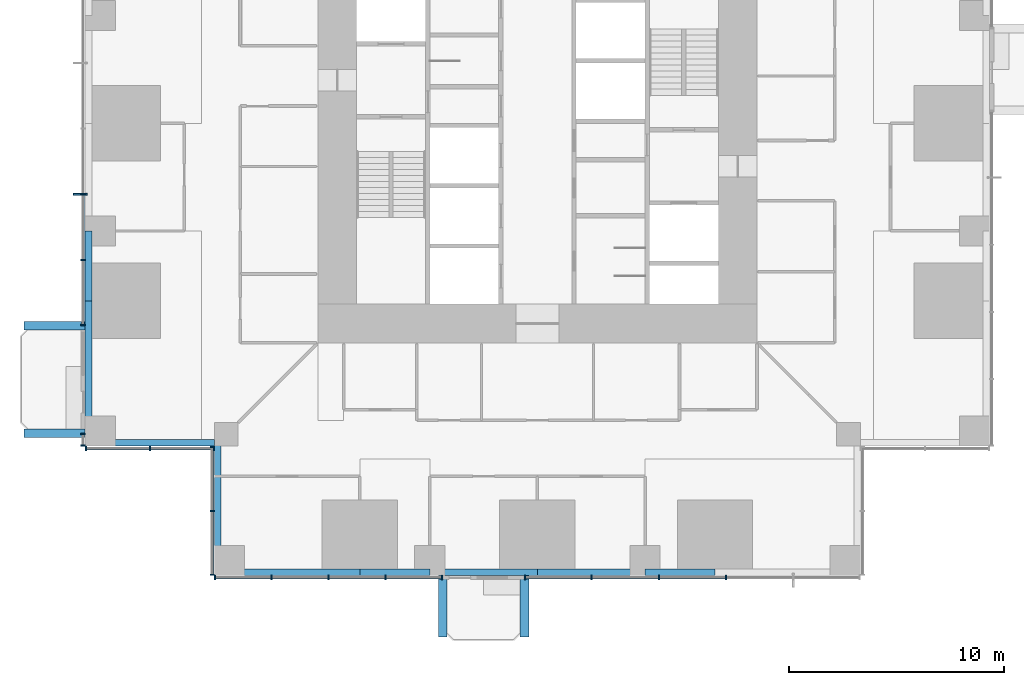
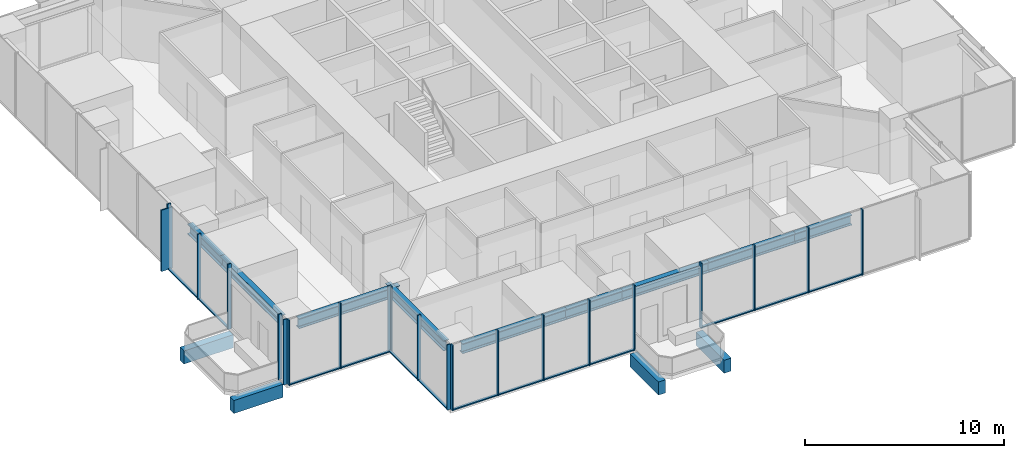
# One storey, part 2 of 18: 34 members, 13 beams, 6 elements without a shape of their own.
"""IFC4 building model written with IfcOpenShell, lengths in metres."""

import ifcopenshell
import ifcopenshell.guid

model = None  # the IFC model being written
_history = None  # IfcOwnerHistory: only IFC2X3 demands one
_inside = {}  # id of a spatial element -> (the spatial element, [elements in it])
_under = {}  # id of a project, library or spatial element -> (it, [spatial elements below it])
_declared = {}  # id of a project -> (the project, [libraries it declares])
_typed = {}  # id of a type object -> (the type object, [elements of that type])
_made_of = {}  # id of a material, layer set ... -> (it, [elements and type objects made of it])


def new_model(schema):
    """Start an empty IFC model of exactly this schema.

    Asked for "IFC4X3", IfcOpenShell would pick the latest addendum, in which some entities
    have other attributes; the version numbers below select the first issue.
    IFC2X3 requires an IfcOwnerHistory on every rooted entity: one is made here for all.
    """
    global model, _history
    if schema == "IFC4X3":
        model = ifcopenshell.file(schema_version=(4, 3, 0, 0))
    else:
        model = ifcopenshell.file(schema=schema)
    _inside.clear()
    _under.clear()
    _declared.clear()
    _typed.clear()
    _made_of.clear()
    _history = None
    if model.schema == "IFC2X3":
        org = make("IfcOrganization", Name="unknown")
        user = make(
            "IfcPersonAndOrganization",
            ThePerson=make("IfcPerson", FamilyName="unknown"),
            TheOrganization=org,
        )
        app = make(
            "IfcApplication",
            ApplicationDeveloper=org,
            Version="unknown",
            ApplicationFullName="unknown",
            ApplicationIdentifier="unknown",
        )
        _history = make(
            "IfcOwnerHistory",
            OwningUser=user,
            OwningApplication=app,
            ChangeAction="ADDED",
            CreationDate=0,
        )
    return model


def make(cls, **values):
    """One entity of the class cls with the attributes given. An attribute that is None is left unset."""
    return model.create_entity(
        cls, **{name: value for name, value in values.items() if value is not None}
    )


def rooted(cls, **values):
    """An entity with a GlobalId (a new one), such as an element, a storey or a relation."""
    return make(cls, GlobalId=ifcopenshell.guid.new(), OwnerHistory=_history, **values)


def si_unit(unit_type, name, prefix=None):
    """IfcSIUnit, for example si_unit("LENGTHUNIT", "METRE", prefix="MILLI")."""
    return make("IfcSIUnit", UnitType=unit_type, Prefix=prefix, Name=name)


def assignment(units):
    """IfcUnitAssignment: the units of a project."""
    return None if units is None else make("IfcUnitAssignment", Units=units)


def point(xyz):
    """IfcCartesianPoint."""
    return None if xyz is None else make("IfcCartesianPoint", Coordinates=xyz)


def direction(xyz):
    """IfcDirection."""
    return None if xyz is None else make("IfcDirection", DirectionRatios=xyz)


def frame(location, z_axis=None, x_axis=None):
    """IfcAxis2Placement3D, a coordinate frame: its origin and axes. An axis left out is left unset."""
    return make(
        "IfcAxis2Placement3D",
        Location=point(location),
        Axis=direction(z_axis),
        RefDirection=direction(x_axis),
    )


def frame_2d(location, x_axis=None):
    """IfcAxis2Placement2D, a coordinate frame in the plane: its origin and x axis."""
    return make(
        "IfcAxis2Placement2D", Location=point(location), RefDirection=direction(x_axis)
    )


def origin():
    """The frame at (0, 0, 0) with its axes left unset."""
    return frame((0.0, 0.0, 0.0))


def origin_2d():
    """The frame at (0, 0) in the plane with its x axis left unset."""
    return frame_2d((0.0, 0.0))


def place(relative_to, where):
    """IfcLocalPlacement: puts the frame where relative to a parent placement (None: the world)."""
    return make(
        "IfcLocalPlacement", PlacementRelTo=relative_to, RelativePlacement=where
    )


def context(
    kind, dimensions, precision=None, world=None, true_north=None, identifier=None
):
    """IfcGeometricRepresentationContext, for example the 3D "Model" context."""
    return make(
        "IfcGeometricRepresentationContext",
        ContextIdentifier=identifier,
        ContextType=kind,
        CoordinateSpaceDimension=dimensions,
        Precision=precision,
        WorldCoordinateSystem=world,
        TrueNorth=true_north,
    )


def subcontext(parent, identifier, kind, view, scale=None):
    """IfcGeometricRepresentationSubContext, for example "Body" below "Model"."""
    return make(
        "IfcGeometricRepresentationSubContext",
        ContextIdentifier=identifier,
        ContextType=kind,
        ParentContext=parent,
        TargetScale=scale,
        TargetView=view,
    )


def project(units=None, contexts=None):
    """IfcProject with its units and contexts."""
    return rooted(
        "IfcProject",
        Name="project",
        RepresentationContexts=contexts,
        UnitsInContext=assignment(units),
    )


def spatial(cls, under=None, at=None, **own):
    """A site, building, storey or space (cls), placed at a placement, below another one or the project."""
    s = rooted(cls, ObjectPlacement=at, **own)
    if under is not None:
        _under.setdefault(under.id(), (under, []))[1].append(s)
    return s


def profile(cls, at=None, kind="AREA", **sizes):
    """A parametric profile (cls). Its sizes go by their IFC names, for example OverallWidth=200.0."""
    return make(cls, ProfileType=kind, Position=at, **sizes)


def rectangle(**sizes):
    """IfcRectangleProfileDef."""
    return profile("IfcRectangleProfileDef", **sizes)


def i_section(**sizes):
    """IfcIShapeProfileDef."""
    return profile("IfcIShapeProfileDef", **sizes)


def extrude(swept, where, along, depth):
    """IfcExtrudedAreaSolid: the profile swept, set in the frame where, extruded along a direction by depth."""
    return make(
        "IfcExtrudedAreaSolid",
        SweptArea=swept,
        Position=where,
        ExtrudedDirection=direction(along),
        Depth=depth,
    )


def shape(context_of_items, identifier, shape_type, items):
    """IfcShapeRepresentation: the items that make up one representation, for example the "Body"."""
    return make(
        "IfcShapeRepresentation",
        ContextOfItems=context_of_items,
        RepresentationIdentifier=identifier,
        RepresentationType=shape_type,
        Items=items,
    )


def material(Name=None, Category=None):
    """IfcMaterial."""
    return make("IfcMaterial", Name=Name, Category=Category)


def material_profile(
    of_material, cross_section, Name=None, Category=None, Priority=None
):
    """IfcMaterialProfile: a cross section and its material."""
    return make(
        "IfcMaterialProfile",
        Name=Name,
        Material=of_material,
        Profile=cross_section,
        Priority=Priority,
        Category=Category,
    )


def profile_set(profiles, Name=None, composite=None):
    """IfcMaterialProfileSet."""
    return make(
        "IfcMaterialProfileSet",
        Name=Name,
        MaterialProfiles=profiles,
        CompositeProfile=composite,
    )


def made_of(thing, what):
    """Note that an element or type object is made of a material, layer set ...; save() writes the relation."""
    if what is not None:
        _made_of.setdefault(what.id(), (what, []))[1].append(thing)
    return thing


def type_object(cls, material=None, **own):
    """A type object (cls), such as IfcWallType, which elements share."""
    return made_of(rooted(cls, **own), material)


def element(
    cls,
    number,
    at=None,
    inside=None,
    cuts=None,
    type_object=None,
    material=None,
    context=None,
    identifier="Body",
    shape_type=None,
    held_by="IfcProductDefinitionShape",
    body=None,
    shapes=None,
    **own,
):
    """One element of the class cls, such as IfcWall. Its Tag is "e" and its number.

    at: its placement. inside: the storey or other place that contains it. cuts: it is an
    opening in that element (IfcRelVoidsElement). A single representation is given by context,
    identifier, shape_type and body (its items); several are given by shapes. held_by: the class
    of the entity that holds the representations. save() writes the other relations.
    """
    e = rooted(cls, Tag="e%d" % number, ObjectPlacement=at, **own)
    if body is not None:
        shapes = [shape(context, identifier, shape_type, body)]
    if shapes is not None:
        e.Representation = make(held_by, Representations=shapes)
    if inside is not None:
        _inside.setdefault(inside.id(), (inside, []))[1].append(e)
    if cuts is not None:
        rooted(
            "IfcRelVoidsElement", RelatingBuildingElement=cuts, RelatedOpeningElement=e
        )
    if type_object is not None:
        _typed.setdefault(type_object.id(), (type_object, []))[1].append(e)
    return made_of(e, material)


def aggregate(whole, parts):
    """IfcRelAggregates: a whole, such as a stair, and the parts it consists of."""
    return rooted("IfcRelAggregates", RelatingObject=whole, RelatedObjects=parts)


def save(model, path):
    """Write the relations noted so far, then the file.

    IfcRelAggregates (storeys below a building ...), IfcRelContainedInSpatialStructure (elements
    in a storey), IfcRelDefinesByType, IfcRelAssociatesMaterial and IfcRelDeclares: one each for
    every whole, place, type object, material and project.
    """
    for whole, parts in _under.values():
        aggregate(whole, parts)
    for where, things in _inside.values():
        rooted(
            "IfcRelContainedInSpatialStructure",
            RelatedElements=things,
            RelatingStructure=where,
        )
    for kind, things in _typed.values():
        rooted("IfcRelDefinesByType", RelatedObjects=things, RelatingType=kind)
    for what, things in _made_of.values():
        rooted("IfcRelAssociatesMaterial", RelatedObjects=things, RelatingMaterial=what)
    for by, libraries in _declared.values():
        rooted("IfcRelDeclares", RelatingContext=by, RelatedDefinitions=libraries)
    model.write(path)


model = new_model("IFC4")

# Units and contexts
model_context = context("Model", 3, precision=1e-05, world=origin(), true_north=direction((0.0, 1.0)))
body_context = subcontext(model_context, "Body", "Model", "MODEL_VIEW")
ifc_project = project(units=[si_unit("LENGTHUNIT", "METRE"), si_unit("AREAUNIT", "SQUARE_METRE"), si_unit("VOLUMEUNIT", "CUBIC_METRE"), si_unit("PLANEANGLEUNIT", "RADIAN"), si_unit("MASSUNIT", "GRAM", prefix="KILO")], contexts=[model_context])

# Site, building, storey
site_placement = place(None, origin())
site = spatial("IfcSite", under=ifc_project, at=site_placement, CompositionType="ELEMENT")
building_placement = place(site_placement, origin())
building = spatial("IfcBuilding", under=site, at=building_placement, Name="Svetlomir Tower", CompositionType="ELEMENT")
storey_placement = place(building_placement, frame((0.0, 0.0, 54.5)))
storey = spatial("IfcBuildingStorey", under=building, at=storey_placement, Name="L12", CompositionType="ELEMENT", Elevation=54.5)

# Beams
ifc_material_1 = material(Name="Concrete C60/75", Category="concrete")
ifc_material_profile_1 = material_profile(ifc_material_1, rectangle(XDim=0.39990234375, YDim=0.800048828125, at=origin_2d()), Name="RC 400x800")
ifc_profile_set_1 = profile_set([ifc_material_profile_1], Name="Concrete C60/75")
beam_type_1 = type_object("IfcBeamType", Name="BALCONY RIB RC 400x800", PredefinedType="BEAM", material=ifc_profile_set_1)
for number, where, z_axis, x_axis, name in (
    (1, (16.60009765625, 0.0, -0.64990234375), (0.0, -1.0, 0.0), (1.0, 0.0, 0.0), "Balcony rib S 1 L12"),
    (2, (20.39990234375, 0.0, -0.64990234375), (0.0, -1.0, 0.0), (1.0, 0.0, 0.0), "Balcony rib S 2 L12"),
    (3, (0.0, 6.60009765625, -0.64990234375), (-1.0, 0.0, 0.0), (0.0, -1.0, 0.0), "Balcony rib W 1 L12"),
    (4, (0.0, 11.60009765625, -0.64990234375), (-1.0, 0.0, 0.0), (0.0, -1.0, 0.0), "Balcony rib W 2 L12"),
):
    element("IfcBeam", number, at=place(storey_placement, frame(where, z_axis=z_axis, x_axis=x_axis)), inside=storey, type_object=beam_type_1, Name=name, PredefinedType="BEAM", context=body_context, shape_type="SweptSolid", body=[
        extrude(rectangle(XDim=0.39990234375, YDim=0.800048828125, at=origin_2d()), origin(), (0.0, 0.0, 1.0), 2.85009765625),
    ])

# Curtain wall, member
ifc_material_2 = material(Name="Bronze anodised aluminium curtain wall", Category="aluminium")
curtain_wall_type = type_object("IfcCurtainWallType", Name="CURTAIN WALL CW1 TOWER OFFICE", PredefinedType="NOTDEFINED", material=ifc_material_2)
curtain_wall_1_placement = place(storey_placement, origin())
curtain_wall_1 = element("IfcCurtainWall", 5, at=curtain_wall_1_placement, inside=storey, type_object=curtain_wall_type, Name="Curtain wall CW1 L12", PredefinedType="NOTDEFINED")
ifc_material_3 = material(Name="Bronze anodised aluminium", Category="aluminium")
ifc_material_profile_2 = material_profile(ifc_material_3, rectangle(XDim=0.080078125, YDim=0.64990234375, at=origin_2d()), Name="FIN 80x650")
ifc_profile_set_2 = profile_set([ifc_material_profile_2], Name="Bronze anodised aluminium 6063-T6")
member_type_1 = type_object("IfcMemberType", Name="BRONZE FIN 80x650", PredefinedType="USERDEFINED", material=ifc_profile_set_2)
member_1_placement = place(storey_placement, frame((-0.22509765625, 17.699951171875, 0.0), z_axis=(0.0, 0.0, 1.0), x_axis=(0.0, 1.0, 0.0)))
member_1 = element("IfcMember", 6, at=member_1_placement, type_object=member_type_1, Name="Bronze fin L12", ObjectType="FIN", PredefinedType="USERDEFINED", context=body_context, shape_type="SweptSolid", body=[
    extrude(rectangle(XDim=0.080078125, YDim=0.64990234375, at=origin_2d()), origin(), (0.0, 0.0, 1.0), 3.75),
])

# Curtain wall, members
curtain_wall_2_placement = place(storey_placement, origin())
curtain_wall_2 = element("IfcCurtainWall", 7, at=curtain_wall_2_placement, inside=storey, type_object=curtain_wall_type, Name="Curtain wall CW1 L12", PredefinedType="NOTDEFINED")
ifc_material_4 = material(Name="Bronze anodised aluminium", Category="aluminium")
ifc_material_profile_3 = material_profile(ifc_material_4, rectangle(XDim=0.06494140625, YDim=0.199951171875, at=origin_2d()), Name="AL 65x200")
ifc_profile_set_3 = profile_set([ifc_material_profile_3], Name="Bronze anodised aluminium 6063-T6")
member_type_2 = type_object("IfcMemberType", Name="CW1 MULLION 65x200", PredefinedType="MULLION", material=ifc_profile_set_3)
member_2_placement = place(storey_placement, frame((6.032470703125, -0.10009765625, 0.0), z_axis=(0.0, 0.0, 1.0), x_axis=(1.0, 0.0, 0.0)))
member_2 = element("IfcMember", 8, at=member_2_placement, type_object=member_type_2, Name="CW1 mullion 1", PredefinedType="MULLION", context=body_context, shape_type="SweptSolid", body=[
    extrude(rectangle(XDim=0.06494140625, YDim=0.199951171875, at=origin_2d()), origin(), (0.0, 0.0, 1.0), 4.0),
])
member_3_placement = place(storey_placement, frame((8.64990234375, -0.10009765625, 0.0), z_axis=(0.0, 0.0, 1.0), x_axis=(1.0, 0.0, 0.0)))
member_3 = element("IfcMember", 9, at=member_3_placement, type_object=member_type_2, Name="CW1 mullion 2", PredefinedType="MULLION", context=body_context, shape_type="SweptSolid", body=[
    extrude(rectangle(XDim=0.06494140625, YDim=0.199951171875, at=origin_2d()), origin(), (0.0, 0.0, 1.0), 4.0),
])
member_4_placement = place(storey_placement, frame((11.300048828125, -0.10009765625, 0.0), z_axis=(0.0, 0.0, 1.0), x_axis=(1.0, 0.0, 0.0)))
member_4 = element("IfcMember", 10, at=member_4_placement, type_object=member_type_2, Name="CW1 mullion 3", PredefinedType="MULLION", context=body_context, shape_type="SweptSolid", body=[
    extrude(rectangle(XDim=0.06494140625, YDim=0.199951171875, at=origin_2d()), origin(), (0.0, 0.0, 1.0), 4.0),
])
member_5_placement = place(storey_placement, frame((13.949951171875, -0.10009765625, 0.0), z_axis=(0.0, 0.0, 1.0), x_axis=(1.0, 0.0, 0.0)))
member_5 = element("IfcMember", 11, at=member_5_placement, type_object=member_type_2, Name="CW1 mullion 4", PredefinedType="MULLION", context=body_context, shape_type="SweptSolid", body=[
    extrude(rectangle(XDim=0.06494140625, YDim=0.199951171875, at=origin_2d()), origin(), (0.0, 0.0, 1.0), 4.0),
])
member_6_placement = place(storey_placement, frame((16.5673828125, -0.10009765625, 0.0), z_axis=(0.0, 0.0, 1.0), x_axis=(1.0, 0.0, 0.0)))
member_6 = element("IfcMember", 12, at=member_6_placement, type_object=member_type_2, Name="CW1 mullion 5", PredefinedType="MULLION", context=body_context, shape_type="SweptSolid", body=[
    extrude(rectangle(XDim=0.06494140625, YDim=0.199951171875, at=origin_2d()), origin(), (0.0, 0.0, 1.0), 4.0),
])

curtain_wall_3_placement = place(storey_placement, origin())
curtain_wall_3 = element("IfcCurtainWall", 13, at=curtain_wall_3_placement, inside=storey, type_object=curtain_wall_type, Name="Curtain wall CW1 L12", PredefinedType="NOTDEFINED")
member_7_placement = place(storey_placement, frame((20.4326171875, -0.10009765625, 0.0), z_axis=(0.0, 0.0, 1.0), x_axis=(1.0, 0.0, 0.0)))
member_7 = element("IfcMember", 14, at=member_7_placement, type_object=member_type_2, Name="CW1 mullion 1", PredefinedType="MULLION", context=body_context, shape_type="SweptSolid", body=[
    extrude(rectangle(XDim=0.06494140625, YDim=0.199951171875, at=origin_2d()), origin(), (0.0, 0.0, 1.0), 4.0),
])
member_8_placement = place(storey_placement, frame((23.52001953125, -0.10009765625, 0.0), z_axis=(0.0, 0.0, 1.0), x_axis=(1.0, 0.0, 0.0)))
member_8 = element("IfcMember", 15, at=member_8_placement, type_object=member_type_2, Name="CW1 mullion 2", PredefinedType="MULLION", context=body_context, shape_type="SweptSolid", body=[
    extrude(rectangle(XDim=0.06494140625, YDim=0.199951171875, at=origin_2d()), origin(), (0.0, 0.0, 1.0), 4.0),
])
member_9_placement = place(storey_placement, frame((26.639892578125, -0.10009765625, 0.0), z_axis=(0.0, 0.0, 1.0), x_axis=(1.0, 0.0, 0.0)))
member_9 = element("IfcMember", 16, at=member_9_placement, type_object=member_type_2, Name="CW1 mullion 3", PredefinedType="MULLION", context=body_context, shape_type="SweptSolid", body=[
    extrude(rectangle(XDim=0.06494140625, YDim=0.199951171875, at=origin_2d()), origin(), (0.0, 0.0, 1.0), 4.0),
])
member_10_placement = place(storey_placement, frame((29.760009765625, -0.10009765625, 0.0), z_axis=(0.0, 0.0, 1.0), x_axis=(1.0, 0.0, 0.0)))
member_10 = element("IfcMember", 17, at=member_10_placement, type_object=member_type_2, Name="CW1 mullion 4", PredefinedType="MULLION", context=body_context, shape_type="SweptSolid", body=[
    extrude(rectangle(XDim=0.06494140625, YDim=0.199951171875, at=origin_2d()), origin(), (0.0, 0.0, 1.0), 4.0),
])

# Member
member_11_placement = place(storey_placement, frame((-0.10009765625, 17.699951171875, 0.0), z_axis=(0.0, 0.0, 1.0), x_axis=(0.0, -1.0, 0.0)))
member_11 = element("IfcMember", 18, at=member_11_placement, type_object=member_type_2, Name="CW1 mullion 7", PredefinedType="MULLION", context=body_context, shape_type="SweptSolid", body=[
    extrude(rectangle(XDim=0.06494140625, YDim=0.199951171875, at=origin_2d()), origin(), (0.0, 0.0, 1.0), 4.0),
])

member_12_placement = place(storey_placement, frame((-0.10009765625, 14.64990234375, 0.0), z_axis=(0.0, 0.0, 1.0), x_axis=(0.0, -1.0, 0.0)))
member_12 = element("IfcMember", 19, at=member_12_placement, type_object=member_type_2, Name="CW1 mullion 8", PredefinedType="MULLION", context=body_context, shape_type="SweptSolid", body=[
    extrude(rectangle(XDim=0.06494140625, YDim=0.199951171875, at=origin_2d()), origin(), (0.0, 0.0, 1.0), 4.0),
])

member_13_placement = place(storey_placement, frame((-0.10009765625, 11.632568359375, 0.0), z_axis=(0.0, 0.0, 1.0), x_axis=(0.0, -1.0, 0.0)))
member_13 = element("IfcMember", 20, at=member_13_placement, type_object=member_type_2, Name="CW1 mullion 9", PredefinedType="MULLION", context=body_context, shape_type="SweptSolid", body=[
    extrude(rectangle(XDim=0.06494140625, YDim=0.199951171875, at=origin_2d()), origin(), (0.0, 0.0, 1.0), 4.0),
])

# Curtain wall, members
curtain_wall_4_placement = place(storey_placement, origin())
curtain_wall_4 = element("IfcCurtainWall", 21, at=curtain_wall_4_placement, inside=storey, type_object=curtain_wall_type, Name="Curtain wall CW1 L12", PredefinedType="NOTDEFINED")
member_14_placement = place(storey_placement, frame((-0.10009765625, 6.5673828125, 0.0), z_axis=(0.0, 0.0, 1.0), x_axis=(0.0, -1.0, 0.0)))
member_14 = element("IfcMember", 22, at=member_14_placement, type_object=member_type_2, Name="CW1 mullion 1", PredefinedType="MULLION", context=body_context, shape_type="SweptSolid", body=[
    extrude(rectangle(XDim=0.06494140625, YDim=0.199951171875, at=origin_2d()), origin(), (0.0, 0.0, 1.0), 4.0),
])
member_15_placement = place(storey_placement, frame((-0.10009765625, 6.032470703125, 0.0), z_axis=(0.0, 0.0, 1.0), x_axis=(0.0, -1.0, 0.0)))
member_15 = element("IfcMember", 23, at=member_15_placement, type_object=member_type_2, Name="CW1 mullion 2", PredefinedType="MULLION", context=body_context, shape_type="SweptSolid", body=[
    extrude(rectangle(XDim=0.06494140625, YDim=0.199951171875, at=origin_2d()), origin(), (0.0, 0.0, 1.0), 4.0),
])
aggregate(curtain_wall_4, [member_14, member_15])

curtain_wall_5_placement = place(storey_placement, origin())
curtain_wall_5 = element("IfcCurtainWall", 24, at=curtain_wall_5_placement, inside=storey, type_object=curtain_wall_type, Name="Curtain wall CW1 L12", PredefinedType="NOTDEFINED")
member_16_placement = place(storey_placement, frame((0.032470703125, 5.89990234375, 0.0), z_axis=(0.0, 0.0, 1.0), x_axis=(1.0, 0.0, 0.0)))
member_16 = element("IfcMember", 25, at=member_16_placement, type_object=member_type_2, Name="CW1 mullion 1", PredefinedType="MULLION", context=body_context, shape_type="SweptSolid", body=[
    extrude(rectangle(XDim=0.06494140625, YDim=0.199951171875, at=origin_2d()), origin(), (0.0, 0.0, 1.0), 4.0),
])
member_17_placement = place(storey_placement, frame((3.0, 5.89990234375, 0.0), z_axis=(0.0, 0.0, 1.0), x_axis=(1.0, 0.0, 0.0)))
member_17 = element("IfcMember", 26, at=member_17_placement, type_object=member_type_2, Name="CW1 mullion 2", PredefinedType="MULLION", context=body_context, shape_type="SweptSolid", body=[
    extrude(rectangle(XDim=0.06494140625, YDim=0.199951171875, at=origin_2d()), origin(), (0.0, 0.0, 1.0), 4.0),
])
member_18_placement = place(storey_placement, frame((5.967529296875, 5.89990234375, 0.0), z_axis=(0.0, 0.0, 1.0), x_axis=(1.0, 0.0, 0.0)))
member_18 = element("IfcMember", 27, at=member_18_placement, type_object=member_type_2, Name="CW1 mullion 3", PredefinedType="MULLION", context=body_context, shape_type="SweptSolid", body=[
    extrude(rectangle(XDim=0.06494140625, YDim=0.199951171875, at=origin_2d()), origin(), (0.0, 0.0, 1.0), 4.0),
])

curtain_wall_6_placement = place(storey_placement, origin())
curtain_wall_6 = element("IfcCurtainWall", 28, at=curtain_wall_6_placement, inside=storey, type_object=curtain_wall_type, Name="Curtain wall CW1 L12", PredefinedType="NOTDEFINED")
member_19_placement = place(storey_placement, frame((5.89990234375, 5.967529296875, 0.0), z_axis=(0.0, 0.0, 1.0), x_axis=(0.0, -1.0, 0.0)))
member_19 = element("IfcMember", 29, at=member_19_placement, type_object=member_type_2, Name="CW1 mullion 1", PredefinedType="MULLION", context=body_context, shape_type="SweptSolid", body=[
    extrude(rectangle(XDim=0.06494140625, YDim=0.199951171875, at=origin_2d()), origin(), (0.0, 0.0, 1.0), 4.0),
])
member_20_placement = place(storey_placement, frame((5.89990234375, 3.0, 0.0), z_axis=(0.0, 0.0, 1.0), x_axis=(0.0, -1.0, 0.0)))
member_20 = element("IfcMember", 30, at=member_20_placement, type_object=member_type_2, Name="CW1 mullion 2", PredefinedType="MULLION", context=body_context, shape_type="SweptSolid", body=[
    extrude(rectangle(XDim=0.06494140625, YDim=0.199951171875, at=origin_2d()), origin(), (0.0, 0.0, 1.0), 4.0),
])
member_21_placement = place(storey_placement, frame((5.89990234375, 0.032470703125, 0.0), z_axis=(0.0, 0.0, 1.0), x_axis=(0.0, -1.0, 0.0)))
member_21 = element("IfcMember", 31, at=member_21_placement, type_object=member_type_2, Name="CW1 mullion 3", PredefinedType="MULLION", context=body_context, shape_type="SweptSolid", body=[
    extrude(rectangle(XDim=0.06494140625, YDim=0.199951171875, at=origin_2d()), origin(), (0.0, 0.0, 1.0), 4.0),
])

# Member
ifc_material_5 = material(Name="Bronze anodised aluminium", Category="aluminium")
ifc_material_profile_4 = material_profile(ifc_material_5, rectangle(XDim=0.139892578125, YDim=0.06494140625, at=origin_2d()), Name="AL 140x65")
ifc_profile_set_4 = profile_set([ifc_material_profile_4], Name="Bronze anodised aluminium 6063-T6")
member_type_3 = type_object("IfcMemberType", Name="CW1 TRANSOM 65x140", PredefinedType="USERDEFINED", material=ifc_profile_set_4)
member_22_placement = place(storey_placement, frame((6.06494140625, -0.10009765625, 0.032470703125), z_axis=(1.0, 0.0, 0.0), x_axis=(0.0, 1.0, 0.0)))
member_22 = element("IfcMember", 32, at=member_22_placement, type_object=member_type_3, Name="CW1 transom 1.1", ObjectType="TRANSOM", PredefinedType="USERDEFINED", context=body_context, shape_type="SweptSolid", body=[
    extrude(rectangle(XDim=0.139892578125, YDim=0.06494140625, at=origin_2d()), origin(), (0.0, 0.0, 1.0), 2.552490234375),
])

member_23_placement = place(storey_placement, frame((8.6826171875, -0.10009765625, 0.032470703125), z_axis=(1.0, 0.0, 0.0), x_axis=(0.0, 1.0, 0.0)))
member_23 = element("IfcMember", 33, at=member_23_placement, type_object=member_type_3, Name="CW1 transom 2.1", ObjectType="TRANSOM", PredefinedType="USERDEFINED", context=body_context, shape_type="SweptSolid", body=[
    extrude(rectangle(XDim=0.139892578125, YDim=0.06494140625, at=origin_2d()), origin(), (0.0, 0.0, 1.0), 2.5849609375),
])

member_24_placement = place(storey_placement, frame((11.33251953125, -0.10009765625, 0.032470703125), z_axis=(1.0, 0.0, 0.0), x_axis=(0.0, 1.0, 0.0)))
member_24 = element("IfcMember", 34, at=member_24_placement, type_object=member_type_3, Name="CW1 transom 3.1", ObjectType="TRANSOM", PredefinedType="USERDEFINED", context=body_context, shape_type="SweptSolid", body=[
    extrude(rectangle(XDim=0.139892578125, YDim=0.06494140625, at=origin_2d()), origin(), (0.0, 0.0, 1.0), 2.5849609375),
])

member_25_placement = place(storey_placement, frame((13.982421875, -0.10009765625, 0.032470703125), z_axis=(1.0, 0.0, 0.0), x_axis=(0.0, 1.0, 0.0)))
member_25 = element("IfcMember", 35, at=member_25_placement, type_object=member_type_3, Name="CW1 transom 4.1", ObjectType="TRANSOM", PredefinedType="USERDEFINED", context=body_context, shape_type="SweptSolid", body=[
    extrude(rectangle(XDim=0.139892578125, YDim=0.06494140625, at=origin_2d()), origin(), (0.0, 0.0, 1.0), 2.552490234375),
])

aggregate(curtain_wall_2, [member_2, member_3, member_4, member_5, member_6, member_22, member_23, member_24, member_25])

member_26_placement = place(storey_placement, frame((20.465087890625, -0.10009765625, 0.032470703125), z_axis=(1.0, 0.0, 0.0), x_axis=(0.0, 1.0, 0.0)))
member_26 = element("IfcMember", 36, at=member_26_placement, type_object=member_type_3, Name="CW1 transom 1.1", ObjectType="TRANSOM", PredefinedType="USERDEFINED", context=body_context, shape_type="SweptSolid", body=[
    extrude(rectangle(XDim=0.139892578125, YDim=0.06494140625, at=origin_2d()), origin(), (0.0, 0.0, 1.0), 3.0224609375),
])

member_27_placement = place(storey_placement, frame((23.552490234375, -0.10009765625, 0.032470703125), z_axis=(1.0, 0.0, 0.0), x_axis=(0.0, 1.0, 0.0)))
member_27 = element("IfcMember", 37, at=member_27_placement, type_object=member_type_3, Name="CW1 transom 2.1", ObjectType="TRANSOM", PredefinedType="USERDEFINED", context=body_context, shape_type="SweptSolid", body=[
    extrude(rectangle(XDim=0.139892578125, YDim=0.06494140625, at=origin_2d()), origin(), (0.0, 0.0, 1.0), 3.054931640625),
])

member_28_placement = place(storey_placement, frame((26.672607421875, -0.10009765625, 0.032470703125), z_axis=(1.0, 0.0, 0.0), x_axis=(0.0, 1.0, 0.0)))
member_28 = element("IfcMember", 38, at=member_28_placement, type_object=member_type_3, Name="CW1 transom 3.1", ObjectType="TRANSOM", PredefinedType="USERDEFINED", context=body_context, shape_type="SweptSolid", body=[
    extrude(rectangle(XDim=0.139892578125, YDim=0.06494140625, at=origin_2d()), origin(), (0.0, 0.0, 1.0), 3.054931640625),
])

aggregate(curtain_wall_3, [member_7, member_8, member_9, member_10, member_26, member_27, member_28])

member_29_placement = place(storey_placement, frame((-0.10009765625, 17.66748046875, 0.032470703125), z_axis=(0.0, -1.0, 0.0), x_axis=(1.0, 0.0, 0.0)))
member_29 = element("IfcMember", 39, at=member_29_placement, type_object=member_type_3, Name="CW1 transom 7.1", ObjectType="TRANSOM", PredefinedType="USERDEFINED", context=body_context, shape_type="SweptSolid", body=[
    extrude(rectangle(XDim=0.139892578125, YDim=0.06494140625, at=origin_2d()), origin(), (0.0, 0.0, 1.0), 2.98486328125),
])

member_30_placement = place(storey_placement, frame((-0.10009765625, 14.617431640625, 0.032470703125), z_axis=(0.0, -1.0, 0.0), x_axis=(1.0, 0.0, 0.0)))
member_30 = element("IfcMember", 40, at=member_30_placement, type_object=member_type_3, Name="CW1 transom 8.1", ObjectType="TRANSOM", PredefinedType="USERDEFINED", context=body_context, shape_type="SweptSolid", body=[
    extrude(rectangle(XDim=0.139892578125, YDim=0.06494140625, at=origin_2d()), origin(), (0.0, 0.0, 1.0), 2.952392578125),
])

aggregate(curtain_wall_1, [member_11, member_12, member_13, member_29, member_30, member_1])

member_31_placement = place(storey_placement, frame((0.06494140625, 5.89990234375, 0.032470703125), z_axis=(1.0, 0.0, 0.0), x_axis=(0.0, 1.0, 0.0)))
member_31 = element("IfcMember", 41, at=member_31_placement, type_object=member_type_3, Name="CW1 transom 1.1", ObjectType="TRANSOM", PredefinedType="USERDEFINED", context=body_context, shape_type="SweptSolid", body=[
    extrude(rectangle(XDim=0.139892578125, YDim=0.06494140625, at=origin_2d()), origin(), (0.0, 0.0, 1.0), 2.902587890625),
])

member_32_placement = place(storey_placement, frame((3.032470703125, 5.89990234375, 0.032470703125), z_axis=(1.0, 0.0, 0.0), x_axis=(0.0, 1.0, 0.0)))
member_32 = element("IfcMember", 42, at=member_32_placement, type_object=member_type_3, Name="CW1 transom 2.1", ObjectType="TRANSOM", PredefinedType="USERDEFINED", context=body_context, shape_type="SweptSolid", body=[
    extrude(rectangle(XDim=0.139892578125, YDim=0.06494140625, at=origin_2d()), origin(), (0.0, 0.0, 1.0), 2.902587890625),
])

aggregate(curtain_wall_5, [member_16, member_17, member_18, member_31, member_32])

member_33_placement = place(storey_placement, frame((5.89990234375, 5.93505859375, 0.032470703125), z_axis=(0.0, -1.0, 0.0), x_axis=(1.0, 0.0, 0.0)))
member_33 = element("IfcMember", 43, at=member_33_placement, type_object=member_type_3, Name="CW1 transom 1.1", ObjectType="TRANSOM", PredefinedType="USERDEFINED", context=body_context, shape_type="SweptSolid", body=[
    extrude(rectangle(XDim=0.139892578125, YDim=0.06494140625, at=origin_2d()), origin(), (0.0, 0.0, 1.0), 2.902587890625),
])

member_34_placement = place(storey_placement, frame((5.89990234375, 2.967529296875, 0.032470703125), z_axis=(0.0, -1.0, 0.0), x_axis=(1.0, 0.0, 0.0)))
member_34 = element("IfcMember", 44, at=member_34_placement, type_object=member_type_3, Name="CW1 transom 2.1", ObjectType="TRANSOM", PredefinedType="USERDEFINED", context=body_context, shape_type="SweptSolid", body=[
    extrude(rectangle(XDim=0.139892578125, YDim=0.06494140625, at=origin_2d()), origin(), (0.0, 0.0, 1.0), 2.902587890625),
])

aggregate(curtain_wall_6, [member_19, member_20, member_21, member_33, member_34])

# Beams
ifc_material_6 = material(Name="Steel S355", Category="steel")
ifc_material_profile_5 = material_profile(ifc_material_6, i_section(OverallWidth=0.304931640625, OverallDepth=0.6201171875, WebThickness=0.02099609375, FlangeThickness=0.0400390625, FilletRadius=0.027099609375, at=origin_2d()), Name="HEM 600")
ifc_profile_set_5 = profile_set([ifc_material_profile_5], Name="Steel S355")
beam_type_2 = type_object("IfcBeamType", Name="EDGE BEAM HEM 600", PredefinedType="SPANDREL", material=ifc_profile_set_5)
for number, where, z_axis, x_axis, name in (
    (45, (6.699951171875, 0.152587890625, 3.43994140625), (1.0, 0.0, 0.0), (0.0, 1.0, 0.0), "Edge beam 6/0 to 11/0 under L13"),
    (46, (0.152587890625, 6.699951171875, 3.43994140625), (0.0, 1.0, 0.0), (-1.0, 0.0, 0.0), "Edge beam 0/6 to 0/11 under L13"),
):
    element("IfcBeam", number, at=place(storey_placement, frame(where, z_axis=z_axis, x_axis=x_axis)), inside=storey, type_object=beam_type_2, Name=name, PredefinedType="SPANDREL", context=body_context, shape_type="SweptSolid", body=[
        extrude(i_section(OverallWidth=0.304931640625, OverallDepth=0.6201171875, WebThickness=0.02099609375, FlangeThickness=0.0400390625, FilletRadius=0.027099609375, at=origin_2d()), origin(), (0.0, 0.0, 1.0), 6.050048828125),
    ])
for number, where, z_axis, x_axis, name in (
    (47, (12.75, 0.152587890625, 3.43994140625), (1.0, 0.0, 0.0), (0.0, 1.0, 0.0), "Edge beam 11/0 to 16/0 under L13"),
    (48, (0.152587890625, 12.75, 3.43994140625), (0.0, 1.0, 0.0), (-1.0, 0.0, 0.0), "Edge beam 0/11 to 0/16 under L13"),
):
    element("IfcBeam", number, at=place(storey_placement, frame(where, z_axis=z_axis, x_axis=x_axis)), inside=storey, type_object=beam_type_2, Name=name, PredefinedType="SPANDREL", context=body_context, shape_type="SweptSolid", body=[
        extrude(i_section(OverallWidth=0.304931640625, OverallDepth=0.6201171875, WebThickness=0.02099609375, FlangeThickness=0.0400390625, FilletRadius=0.027099609375, at=origin_2d()), origin(), (0.0, 0.0, 1.0), 3.25),
    ])
for number, where, z_axis, x_axis, name in (
    (49, (16.0, 0.152587890625, 3.43994140625), (1.0, 0.0, 0.0), (0.0, 1.0, 0.0), "Edge beam 16/0 to 21/0 under L13"),
    (50, (21.0, 0.152587890625, 3.43994140625), (1.0, 0.0, 0.0), (0.0, 1.0, 0.0), "Edge beam 21/0 to 26/0 under L13"),
):
    element("IfcBeam", number, at=place(storey_placement, frame(where, z_axis=z_axis, x_axis=x_axis)), inside=storey, type_object=beam_type_2, Name=name, PredefinedType="SPANDREL", context=body_context, shape_type="SweptSolid", body=[
        extrude(i_section(OverallWidth=0.304931640625, OverallDepth=0.6201171875, WebThickness=0.02099609375, FlangeThickness=0.0400390625, FilletRadius=0.027099609375, at=origin_2d()), origin(), (0.0, 0.0, 1.0), 5.0),
    ])
beam_placement = place(storey_placement, frame((26.0, 0.152587890625, 3.43994140625), z_axis=(1.0, 0.0, 0.0), x_axis=(0.0, 1.0, 0.0)))
element("IfcBeam", 51, at=beam_placement, inside=storey, type_object=beam_type_2, Name="Edge beam 26/0 to 31/0 under L13", PredefinedType="SPANDREL", context=body_context, shape_type="SweptSolid", body=[
    extrude(i_section(OverallWidth=0.304931640625, OverallDepth=0.6201171875, WebThickness=0.02099609375, FlangeThickness=0.0400390625, FilletRadius=0.027099609375, at=origin_2d()), origin(), (0.0, 0.0, 1.0), 3.25),
])
for number, where, z_axis, x_axis, name in (
    (52, (6.152587890625, 0.699951171875, 3.43994140625), (0.0, 1.0, 0.0), (-1.0, 0.0, 0.0), "Edge beam 6/0 to 6/6 under L13"),
    (53, (0.699951171875, 6.152587890625, 3.43994140625), (1.0, 0.0, 0.0), (0.0, 1.0, 0.0), "Edge beam 0/6 to 6/6 under L13"),
):
    element("IfcBeam", number, at=place(storey_placement, frame(where, z_axis=z_axis, x_axis=x_axis)), inside=storey, type_object=beam_type_2, Name=name, PredefinedType="SPANDREL", context=body_context, shape_type="SweptSolid", body=[
        extrude(i_section(OverallWidth=0.304931640625, OverallDepth=0.6201171875, WebThickness=0.02099609375, FlangeThickness=0.0400390625, FilletRadius=0.027099609375, at=origin_2d()), origin(), (0.0, 0.0, 1.0), 5.85009765625),
    ])

save(model, "model.ifc")
